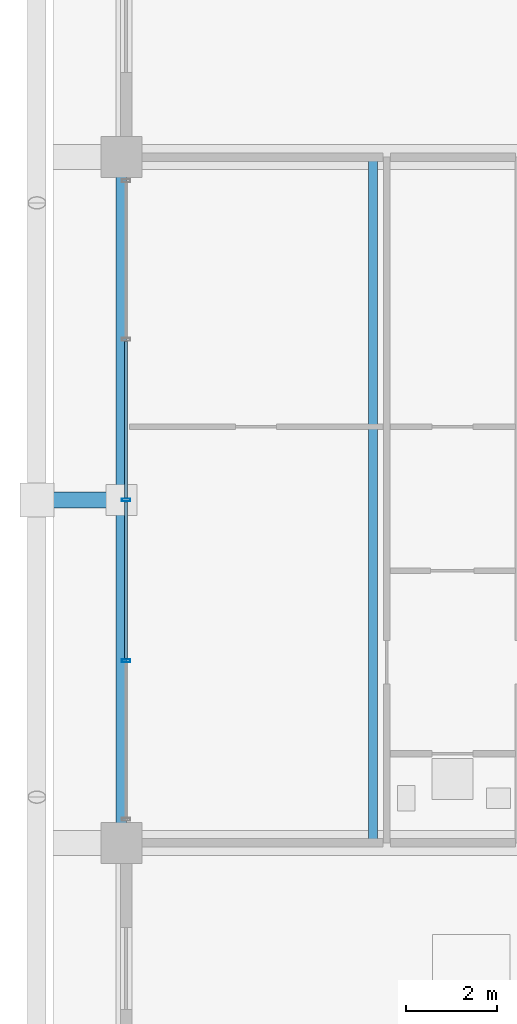
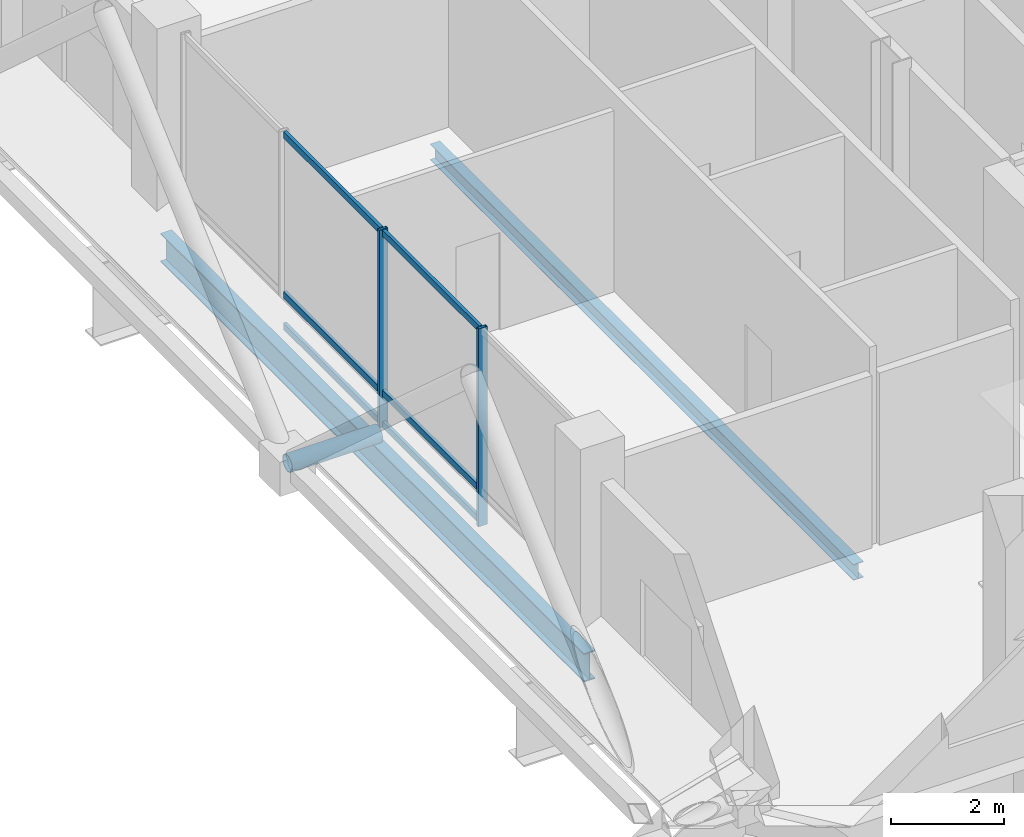
# One storey, part 9 of 27: 9 members, 2 beams, 1 element without a shape of its own.
"""IFC4 building model written with IfcOpenShell, lengths in metres."""

from ifc_helpers import new_model, si_unit, direction, frame, origin, origin_2d, place, context, subcontext, project, spatial, hollow_rectangle, hollow_circle, i_section, extrude, material, layer, layer_set, material_profile, profile_set, type_object, element, aggregate, save


model = new_model("IFC4")

# Units and contexts
model_context = context("Model", 3, precision=1e-05, world=origin(), true_north=direction((0.0, 1.0)))
body_context = subcontext(model_context, "Body", "Model", "MODEL_VIEW")
ifc_project = project(units=[si_unit("LENGTHUNIT", "METRE"), si_unit("AREAUNIT", "SQUARE_METRE"), si_unit("VOLUMEUNIT", "CUBIC_METRE"), si_unit("PLANEANGLEUNIT", "RADIAN"), si_unit("MASSUNIT", "GRAM", prefix="KILO")], contexts=[model_context])

# Site, building, storey
site_placement = place(None, origin())
site = spatial("IfcSite", under=ifc_project, at=site_placement, CompositionType="ELEMENT")
building_placement = place(site_placement, origin())
building = spatial("IfcBuilding", under=site, at=building_placement, Name="Barlavira Tower and Art Museum", CompositionType="ELEMENT")
storey_placement = place(building_placement, frame((0.0, 0.0, 217.800048828125)))
storey = spatial("IfcBuildingStorey", under=building, at=storey_placement, Name="L56", CompositionType="ELEMENT", Elevation=217.800048828125)

# Curtain wall, members
ifc_material_1 = material(Name="Low-iron coastal laminated glass", Category="glass")
ifc_layer = layer(ifc_material_1, 0.2099609375, Name="Low-iron coastal laminated glass")
ifc_layer_set = layer_set([ifc_layer], Name="Low-iron coastal laminated glass")
curtain_wall_type = type_object("IfcCurtainWallType", Name="Pale-Metal Unitised Curtain Wall Zone 4", PredefinedType="NOTDEFINED", material=ifc_layer_set)
curtain_wall_placement = place(storey_placement, origin())
curtain_wall = element("IfcCurtainWall", 1, at=curtain_wall_placement, inside=storey, type_object=curtain_wall_type, Name="L56 Curtain Wall CW4-L56-W-B3", PredefinedType="NOTDEFINED")
ifc_material_2 = material(Name="Pale anodised aluminium", Category="aluminium")
ifc_material_profile_1 = material_profile(ifc_material_2, hollow_rectangle(XDim=0.06494140625, YDim=0.179931640625, WallThickness=0.00390625, at=origin_2d()), Name="ALU-MULL 65x180x4")
ifc_profile_set_1 = profile_set([ifc_material_profile_1], Name="Pale anodised aluminium")
member_type_1 = type_object("IfcMemberType", Name="Curtain Wall Pale-Metal Mullion 65x180", PredefinedType="MULLION", material=ifc_profile_set_1)
member_1_placement = place(storey_placement, frame((-16.89990234375, 0.0, 0.0), z_axis=(0.0, 0.0, 1.0), x_axis=(0.0, -1.0, 0.0)))
member_1 = element("IfcMember", 2, at=member_1_placement, type_object=member_type_1, Name="CW4-L56-W-B3 Mullion 2", PredefinedType="MULLION", context=body_context, shape_type="SweptSolid", body=[
    extrude(hollow_rectangle(XDim=0.06494140625, YDim=0.179931640625, WallThickness=0.00390625, at=origin_2d()), origin(), (0.0, 0.0, 1.0), 4.280029296875),
])
member_2_placement = place(storey_placement, frame((-16.89990234375, -3.514892578125, 0.0), z_axis=(0.0, 0.0, 1.0), x_axis=(0.0, -1.0, 0.0)))
member_2 = element("IfcMember", 3, at=member_2_placement, type_object=member_type_1, Name="CW4-L56-W-B3 Mullion 3", PredefinedType="MULLION", context=body_context, shape_type="SweptSolid", body=[
    extrude(hollow_rectangle(XDim=0.06494140625, YDim=0.179931640625, WallThickness=0.00390625, at=origin_2d()), origin(), (0.0, 0.0, 1.0), 4.280029296875),
])
ifc_material_profile_2 = material_profile(ifc_material_2, hollow_rectangle(XDim=0.06494140625, YDim=0.139892578125, WallThickness=0.00390625, at=origin_2d()), Name="ALU-TRAN 65x140x4")
ifc_profile_set_2 = profile_set([ifc_material_profile_2], Name="Pale anodised aluminium")
member_type_2 = type_object("IfcMemberType", Name="Curtain Wall Pale-Metal Transom 65x140", PredefinedType="USERDEFINED", material=ifc_profile_set_2)
member_3_placement = place(storey_placement, frame((-16.89990234375, 3.469970703125, 0.070068359375), z_axis=(0.0, -1.0, 0.0), x_axis=(1.0, 0.0, 0.0)))
member_3 = element("IfcMember", 4, at=member_3_placement, type_object=member_type_2, Name="CW4-L56-W-B3 Transom 1.1", ObjectType="TRANSOM", PredefinedType="USERDEFINED", context=body_context, shape_type="SweptSolid", body=[
    extrude(hollow_rectangle(XDim=0.06494140625, YDim=0.139892578125, WallThickness=0.00390625, at=origin_2d()), origin(), (0.0, 0.0, 1.0), 3.425048828125),
])
member_4_placement = place(storey_placement, frame((-16.89990234375, 3.469970703125, 0.75), z_axis=(0.0, -1.0, 0.0), x_axis=(1.0, 0.0, 0.0)))
member_4 = element("IfcMember", 5, at=member_4_placement, type_object=member_type_2, Name="CW4-L56-W-B3 Transom 1.2", ObjectType="TRANSOM", PredefinedType="USERDEFINED", context=body_context, shape_type="SweptSolid", body=[
    extrude(hollow_rectangle(XDim=0.06494140625, YDim=0.139892578125, WallThickness=0.00390625, at=origin_2d()), origin(), (0.0, 0.0, 1.0), 3.425048828125),
])
member_5_placement = place(storey_placement, frame((-16.89990234375, 3.469970703125, 4.2099609375), z_axis=(0.0, -1.0, 0.0), x_axis=(1.0, 0.0, 0.0)))
member_5 = element("IfcMember", 6, at=member_5_placement, type_object=member_type_2, Name="CW4-L56-W-B3 Transom 1.3", ObjectType="TRANSOM", PredefinedType="USERDEFINED", context=body_context, shape_type="SweptSolid", body=[
    extrude(hollow_rectangle(XDim=0.06494140625, YDim=0.139892578125, WallThickness=0.00390625, at=origin_2d()), origin(), (0.0, 0.0, 1.0), 3.425048828125),
])
member_6_placement = place(storey_placement, frame((-16.89990234375, -0.044921875, 0.070068359375), z_axis=(0.0, -1.0, 0.0), x_axis=(1.0, 0.0, 0.0)))
member_6 = element("IfcMember", 7, at=member_6_placement, type_object=member_type_2, Name="CW4-L56-W-B3 Transom 2.1", ObjectType="TRANSOM", PredefinedType="USERDEFINED", context=body_context, shape_type="SweptSolid", body=[
    extrude(hollow_rectangle(XDim=0.06494140625, YDim=0.139892578125, WallThickness=0.00390625, at=origin_2d()), origin(), (0.0, 0.0, 1.0), 3.425048828125),
])
member_7_placement = place(storey_placement, frame((-16.89990234375, -0.044921875, 0.75), z_axis=(0.0, -1.0, 0.0), x_axis=(1.0, 0.0, 0.0)))
member_7 = element("IfcMember", 8, at=member_7_placement, type_object=member_type_2, Name="CW4-L56-W-B3 Transom 2.2", ObjectType="TRANSOM", PredefinedType="USERDEFINED", context=body_context, shape_type="SweptSolid", body=[
    extrude(hollow_rectangle(XDim=0.06494140625, YDim=0.139892578125, WallThickness=0.00390625, at=origin_2d()), origin(), (0.0, 0.0, 1.0), 3.425048828125),
])
member_8_placement = place(storey_placement, frame((-16.89990234375, -0.044921875, 4.2099609375), z_axis=(0.0, -1.0, 0.0), x_axis=(1.0, 0.0, 0.0)))
member_8 = element("IfcMember", 9, at=member_8_placement, type_object=member_type_2, Name="CW4-L56-W-B3 Transom 2.3", ObjectType="TRANSOM", PredefinedType="USERDEFINED", context=body_context, shape_type="SweptSolid", body=[
    extrude(hollow_rectangle(XDim=0.06494140625, YDim=0.139892578125, WallThickness=0.00390625, at=origin_2d()), origin(), (0.0, 0.0, 1.0), 3.425048828125),
])
aggregate(curtain_wall, [member_1, member_2, member_3, member_4, member_5, member_6, member_7, member_8])

# Member
ifc_material_3 = material(Name="Steel S355", Category="steel")
ifc_material_profile_3 = material_profile(ifc_material_3, hollow_circle(Radius=0.177734375, WallThickness=0.01611328125, at=origin_2d()), Name="CHS 355.6x16.0")
ifc_profile_set_3 = profile_set([ifc_material_profile_3], Name="Steel S355")
member_type_3 = type_object("IfcMemberType", Name="Pale-Metal Exoskeleton Tie Strut CHS 356x16 Steel S355", PredefinedType="STRUT", material=ifc_profile_set_3)
member_9_placement = place(storey_placement, frame((-18.85009765625, 0.0, -0.1201171875), z_axis=(1.0, 0.0, 0.0), x_axis=(0.0, 1.0, 0.0)))
element("IfcMember", 10, at=member_9_placement, inside=storey, type_object=member_type_3, Name="L56 Exoskeleton Tie Strut W2", PredefinedType="STRUT", context=body_context, shape_type="SweptSolid", body=[
    extrude(hollow_circle(Radius=0.177734375, WallThickness=0.01611328125, at=origin_2d()), origin(), (0.0, 0.0, 1.0), 1.85009765625),
])

# Beams
ifc_material_profile_4 = material_profile(ifc_material_3, i_section(OverallWidth=0.22998046875, OverallDepth=0.616943359375, WebThickness=0.01318359375, FlangeThickness=0.022216796875, at=origin_2d()), Name="W610x140.0")
ifc_profile_set_4 = profile_set([ifc_material_profile_4], Name="Steel S355")
beam_type_1 = type_object("IfcBeamType", Name="Upper Shaft Spandrel Edge Beam W610x140 Steel S355", PredefinedType="SPANDREL", material=ifc_profile_set_4)
beam_1_placement = place(storey_placement, frame((-17.0, -7.5, -0.608642578125), z_axis=(0.0, 1.0, 0.0), x_axis=(-1.0, 0.0, 0.0)))
element("IfcBeam", 11, at=beam_1_placement, inside=storey, type_object=beam_type_1, Name="L56 Spandrel 14", PredefinedType="SPANDREL", context=body_context, shape_type="SweptSolid", body=[
    extrude(i_section(OverallWidth=0.22998046875, OverallDepth=0.616943359375, WebThickness=0.01318359375, FlangeThickness=0.022216796875, at=origin_2d()), origin(), (0.0, 0.0, 1.0), 15.0),
])
ifc_material_profile_5 = material_profile(ifc_material_3, i_section(OverallWidth=0.202880859375, OverallDepth=0.346923828125, WebThickness=0.0078125, FlangeThickness=0.013427734375, at=origin_2d()), Name="W360x64.0")
ifc_profile_set_5 = profile_set([ifc_material_profile_5], Name="Steel S355")
beam_type_2 = type_object("IfcBeamType", Name="Zone 4 Composite Floor Joist W360x64 Steel S355", PredefinedType="JOIST", material=ifc_profile_set_5)
beam_2_placement = place(storey_placement, frame((-11.5, -7.5, -0.4736328125), z_axis=(0.0, 1.0, 0.0), x_axis=(-1.0, 0.0, 0.0)))
element("IfcBeam", 12, at=beam_2_placement, inside=storey, type_object=beam_type_2, Name="L56 Joist W1", PredefinedType="JOIST", context=body_context, shape_type="SweptSolid", body=[
    extrude(i_section(OverallWidth=0.202880859375, OverallDepth=0.346923828125, WebThickness=0.0078125, FlangeThickness=0.013427734375, at=origin_2d()), origin(), (0.0, 0.0, 1.0), 15.0),
])

save(model, "model.ifc")
